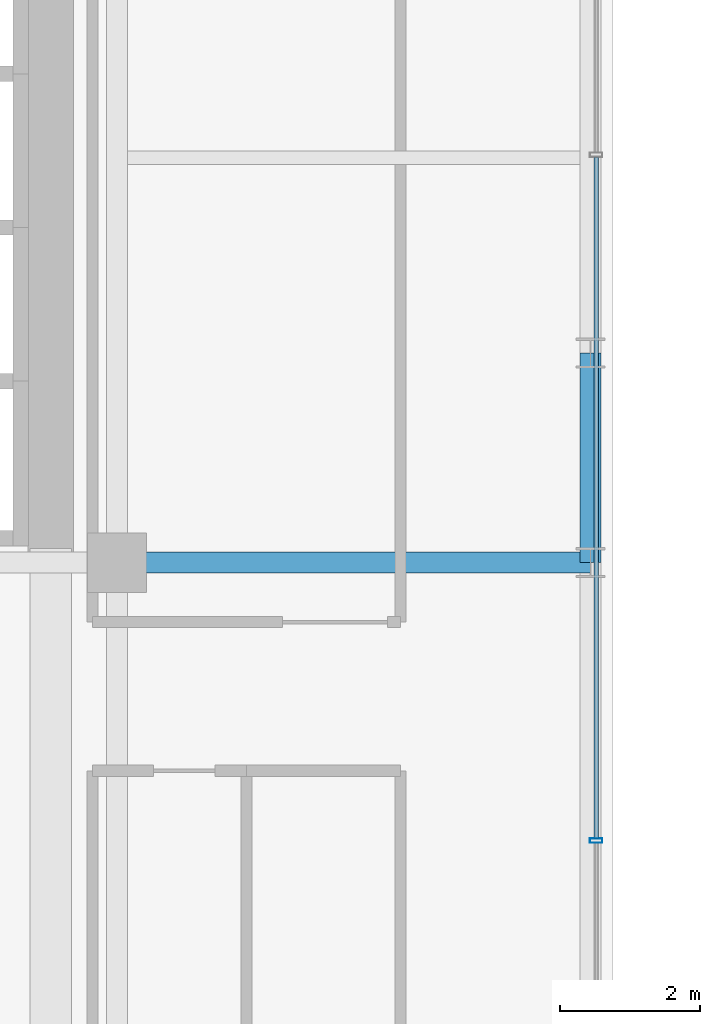
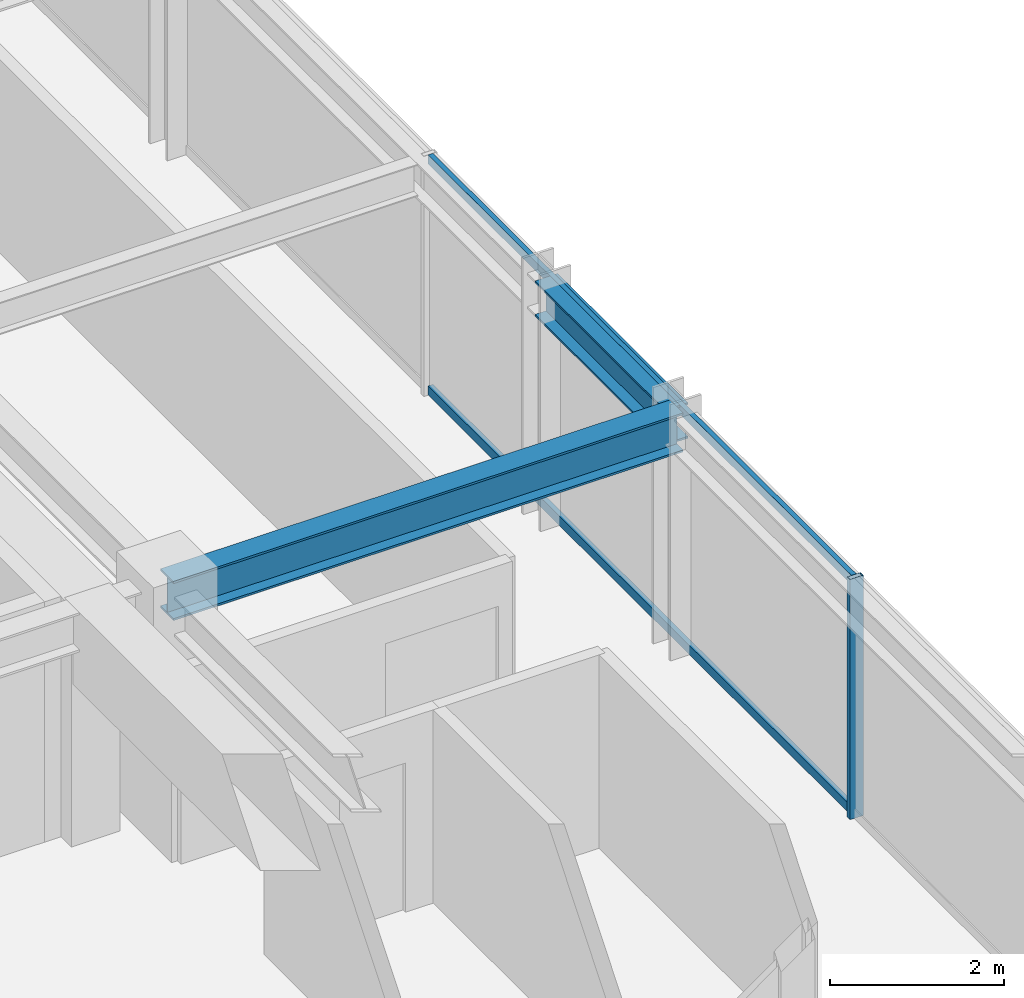
# One storey, part 15 of 34: 3 members, 2 beams, 1 element without a shape of its own.
"""IFC4 building model written with IfcOpenShell, lengths in metres."""

from ifc_helpers import new_model, si_unit, direction, frame, origin, origin_2d, place, context, subcontext, project, spatial, hollow_rectangle, i_section, extrude, source, transform, mapped, material, material_profile, profile_set, type_object, element, aggregate, save


model = new_model("IFC4")

# Units and contexts
model_context = context("Model", 3, precision=1e-05, world=origin(), true_north=direction((0.0, 1.0)))
body_context = subcontext(model_context, "Body", "Model", "MODEL_VIEW")
ifc_project = project(units=[si_unit("LENGTHUNIT", "METRE"), si_unit("AREAUNIT", "SQUARE_METRE"), si_unit("VOLUMEUNIT", "CUBIC_METRE"), si_unit("PLANEANGLEUNIT", "RADIAN"), si_unit("MASSUNIT", "GRAM", prefix="KILO")], contexts=[model_context])

# Site, building, storey
site_placement = place(None, origin())
site = spatial("IfcSite", under=ifc_project, at=site_placement, CompositionType="ELEMENT")
building_placement = place(site_placement, origin())
building = spatial("IfcBuilding", under=site, at=building_placement, Name="Nahalor Promenade Grand Hotel", CompositionType="ELEMENT")
storey_placement = place(building_placement, frame((0.0, 0.0, 99.25)))
storey = spatial("IfcBuildingStorey", under=building, at=storey_placement, Name="L24", CompositionType="ELEMENT", Elevation=99.25)

# Beams
ifc_material_1 = material(Name="Steel S355JR", Category="steel")
ifc_material_profile_1 = material_profile(ifc_material_1, i_section(OverallWidth=0.3, OverallDepth=0.5, WebThickness=0.0145, FlangeThickness=0.028, at=origin_2d()), Name="HEB 500")
ifc_profile_set_1 = profile_set([ifc_material_profile_1], Name="Steel S355JR")
beam_type_1 = type_object("IfcBeamType", Name="Beam-Spandrel-HEB500", PredefinedType="SPANDREL", material=ifc_profile_set_1)
shared_shape_1 = source(origin(), body_context, "Body", "SweptSolid", [
    extrude(i_section(OverallWidth=0.3, OverallDepth=0.5, WebThickness=0.0145, FlangeThickness=0.028, at=origin_2d()), origin(), (0.0, 0.0, 1.0), 3.0),
])
beam_1_placement = place(storey_placement, frame((23.780029296875, 5.39990234375, 3.1298828125), z_axis=(0.0, 1.0, 0.0), x_axis=(-1.0, 0.0, 0.0)))
element("IfcBeam", 1, at=beam_1_placement, inside=storey, type_object=beam_type_1, Name="BM-L24-SP-E-3", PredefinedType="SPANDREL", context=body_context, shape_type="MappedRepresentation", body=[
    mapped(shared_shape_1, transform((0.0, 0.0, 0.0), scale=1.0)),
])
ifc_material_profile_2 = material_profile(ifc_material_1, i_section(OverallWidth=0.3, OverallDepth=0.55, WebThickness=0.015, FlangeThickness=0.029, at=origin_2d()), Name="HEB 550")
ifc_profile_set_2 = profile_set([ifc_material_profile_2], Name="Steel S355JR")
beam_type_2 = type_object("IfcBeamType", Name="Beam-Girder-HEB550", PredefinedType="BEAM", material=ifc_profile_set_2)
shared_shape_2 = source(origin(), body_context, "Body", "SweptSolid", [
    extrude(i_section(OverallWidth=0.3, OverallDepth=0.55, WebThickness=0.015, FlangeThickness=0.029, at=origin_2d()), origin(), (0.0, 0.0, 1.0), 6.780029296875),
])
beam_2_placement = place(storey_placement, frame((17.0, 5.39990234375, 3.10498046875), z_axis=(1.0, 0.0, 0.0), x_axis=(0.0, 1.0, 0.0)))
element("IfcBeam", 2, at=beam_2_placement, inside=storey, type_object=beam_type_2, Name="BM-L24-GX-2-6", PredefinedType="BEAM", context=body_context, shape_type="MappedRepresentation", body=[
    mapped(shared_shape_2, transform((0.0, 0.0, 0.0), scale=1.0)),
])

# Curtain wall, members
ifc_material_2 = material(Name="Anodised Bronze Aluminium EN AW-6063 T6", Category="aluminium")
curtain_wall_type = type_object("IfcCurtainWallType", Name="CW2 Typical Hotel Flush Bronze Unitised Curtain Wall", PredefinedType="USERDEFINED", material=ifc_material_2)
curtain_wall_placement = place(storey_placement, origin())
curtain_wall = element("IfcCurtainWall", 3, at=curtain_wall_placement, inside=storey, type_object=curtain_wall_type, Name="L24 Curtain Wall CW-L24-E-3", ObjectType="UNITISED_CURTAIN_WALL", PredefinedType="USERDEFINED")
ifc_material_profile_3 = material_profile(ifc_material_2, hollow_rectangle(XDim=0.065, YDim=0.18, WallThickness=0.004, at=origin_2d()), Name="CWM 65x180x4")
ifc_profile_set_3 = profile_set([ifc_material_profile_3], Name="Anodised Bronze Aluminium EN AW-6063 T6")
member_type_1 = type_object("IfcMemberType", Name="CWM2 Typical Bronze Mullion 65x180", PredefinedType="MULLION", material=ifc_profile_set_3)
shared_shape_3 = source(origin(), body_context, "Body", "SweptSolid", [
    extrude(hollow_rectangle(XDim=0.065, YDim=0.18, WallThickness=0.004, at=origin_2d()), origin(), (0.0, 0.0, 1.0), 3.3798828125),
])
member_1_placement = place(storey_placement, frame((23.860107421875, 1.419921875, 0.0), z_axis=(0.0, 0.0, 1.0), x_axis=(0.0, 1.0, 0.0)))
member_1 = element("IfcMember", 4, at=member_1_placement, type_object=member_type_1, Name="CW-L24-E-3 Mullion 1", PredefinedType="MULLION", context=body_context, shape_type="MappedRepresentation", body=[
    mapped(shared_shape_3, transform((0.0, 0.0, 0.0), scale=1.0)),
])
ifc_material_profile_4 = material_profile(ifc_material_2, hollow_rectangle(XDim=0.065, YDim=0.13, WallThickness=0.004, at=origin_2d()), Name="CWT 65x130x4")
ifc_profile_set_4 = profile_set([ifc_material_profile_4], Name="Anodised Bronze Aluminium EN AW-6063 T6")
member_type_2 = type_object("IfcMemberType", Name="CWT2 Typical Bronze Transom 65x130", PredefinedType="USERDEFINED", material=ifc_profile_set_4)
shared_shape_4 = source(origin(), body_context, "Body", "SweptSolid", [
    extrude(hollow_rectangle(XDim=0.065, YDim=0.13, WallThickness=0.004, at=origin_2d()), origin(), (0.0, 0.0, 1.0), 9.755126953125),
])
member_2_placement = place(storey_placement, frame((23.860107421875, 1.452392578125, 0.06494140625), z_axis=(0.0, 1.0, 0.0), x_axis=(-1.0, 0.0, 0.0)))
member_2 = element("IfcMember", 5, at=member_2_placement, type_object=member_type_2, Name="CW-L24-E-3 Transom 1-0", ObjectType="TRANSOM", PredefinedType="USERDEFINED", context=body_context, shape_type="MappedRepresentation", body=[
    mapped(shared_shape_4, transform((0.0, 0.0, 0.0), scale=1.0)),
])
member_3_placement = place(storey_placement, frame((23.860107421875, 1.452392578125, 3.31494140625), z_axis=(0.0, 1.0, 0.0), x_axis=(-1.0, 0.0, 0.0)))
member_3 = element("IfcMember", 6, at=member_3_placement, type_object=member_type_2, Name="CW-L24-E-3 Transom 1-1", ObjectType="TRANSOM", PredefinedType="USERDEFINED", context=body_context, shape_type="MappedRepresentation", body=[
    mapped(shared_shape_4, transform((0.0, 0.0, 0.0), scale=1.0)),
])
aggregate(curtain_wall, [member_1, member_2, member_3])

save(model, "model.ifc")
